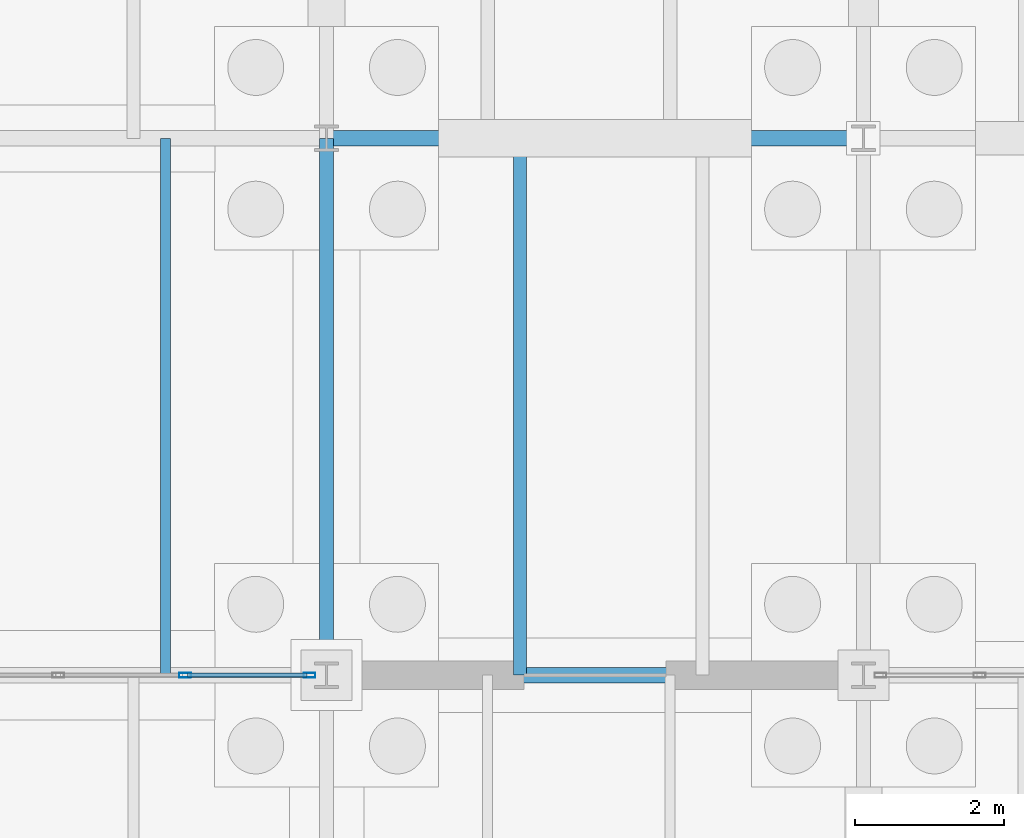
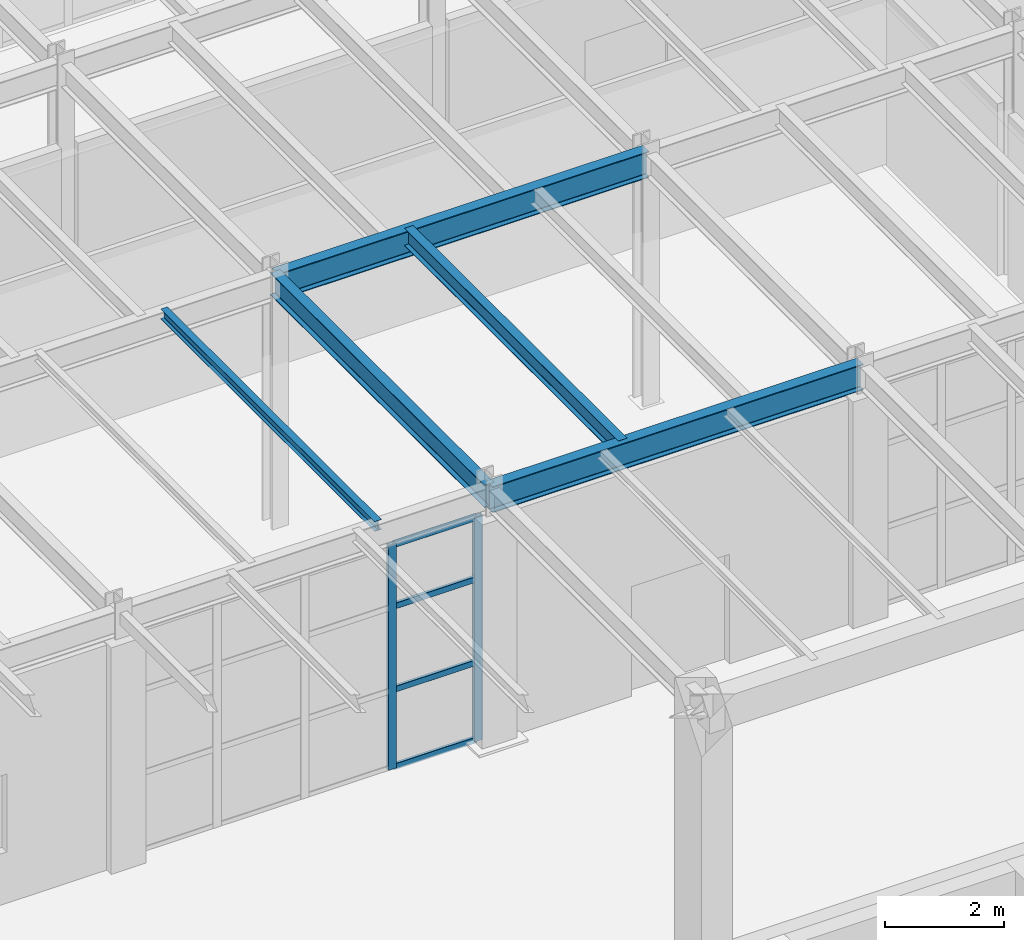
# One storey, part 87 of 293: 6 members, 5 beams, 1 element without a shape of its own.
"""IFC4 building model written with IfcOpenShell, lengths in metres."""

from ifc_helpers import new_model, si_unit, direction, frame, origin, origin_2d, place, context, subcontext, project, spatial, hollow_rectangle, i_section, extrude, material, layer, layer_set, material_profile, profile_set, type_object, element, aggregate, save


model = new_model("IFC4")

# Units and contexts
model_context = context("Model", 3, precision=1e-05, world=origin(), true_north=direction((0.0, 1.0)))
body_context = subcontext(model_context, "Body", "Model", "MODEL_VIEW")
ifc_project = project(units=[si_unit("LENGTHUNIT", "METRE"), si_unit("AREAUNIT", "SQUARE_METRE"), si_unit("VOLUMEUNIT", "CUBIC_METRE"), si_unit("PLANEANGLEUNIT", "RADIAN"), si_unit("MASSUNIT", "GRAM", prefix="KILO")], contexts=[model_context])

# Site, building, storey
site_placement = place(None, origin())
site = spatial("IfcSite", under=ifc_project, at=site_placement, CompositionType="ELEMENT")
building_placement = place(site_placement, origin())
building = spatial("IfcBuilding", under=site, at=building_placement, Name="Kemerveld Promenade Tramway Depot", CompositionType="ELEMENT")
storey_placement = place(building_placement, origin())
storey = spatial("IfcBuildingStorey", under=building, at=storey_placement, Name="L00", CompositionType="ELEMENT", Elevation=0.0)

# Beams
ifc_material_1 = material(Name="Steel S355", Category="steel")
ifc_material_profile_1 = material_profile(ifc_material_1, i_section(OverallWidth=0.2099609375, OverallDepth=0.53662109375, WebThickness=0.0107421875, FlangeThickness=0.017333984375, FilletRadius=0.0126953125, at=origin_2d()), Name="533x210x101 UB")
ifc_profile_set_1 = profile_set([ifc_material_profile_1], Name="Steel S355")
beam_type_1 = type_object("IfcBeamType", Name="BM-G05", PredefinedType="BEAM", material=ifc_profile_set_1)
for number, where, z_axis, x_axis, name in (
    (1, (122.39990234375, 7.199951171875, 4.906494140625), (1.0, 0.0, 0.0), (0.0, 1.0, 0.0), "BMX-L00-18-19-B"),
    (2, (122.39990234375, 14.39990234375, 4.906494140625), (1.0, 0.0, 0.0), (0.0, 1.0, 0.0), "BMX-L00-18-19-C"),
):
    element("IfcBeam", number, at=place(storey_placement, frame(where, z_axis=z_axis, x_axis=x_axis)), inside=storey, type_object=beam_type_1, Name=name, PredefinedType="BEAM", context=body_context, shape_type="SweptSolid", body=[
        extrude(i_section(OverallWidth=0.2099609375, OverallDepth=0.53662109375, WebThickness=0.0107421875, FlangeThickness=0.017333984375, FilletRadius=0.0126953125, at=origin_2d()), origin(), (0.0, 0.0, 1.0), 7.2001953125),
    ])
ifc_material_profile_2 = material_profile(ifc_material_1, i_section(OverallWidth=0.19140625, OverallDepth=0.4599609375, WebThickness=0.010009765625, FlangeThickness=0.01611328125, FilletRadius=0.01025390625, at=origin_2d()), Name="457x191x82 UB")
ifc_profile_set_2 = profile_set([ifc_material_profile_2], Name="Steel S355")
beam_type_2 = type_object("IfcBeamType", Name="BM-G06", PredefinedType="BEAM", material=ifc_profile_set_2)
beam_1_placement = place(storey_placement, frame((122.39990234375, 7.199951171875, 4.945068359375), z_axis=(0.0, 1.0, 0.0), x_axis=(-1.0, 0.0, 0.0)))
element("IfcBeam", 3, at=beam_1_placement, inside=storey, type_object=beam_type_2, Name="BMY-L00-18-B-C", PredefinedType="BEAM", context=body_context, shape_type="SweptSolid", body=[
    extrude(i_section(OverallWidth=0.19140625, OverallDepth=0.4599609375, WebThickness=0.010009765625, FlangeThickness=0.01611328125, FilletRadius=0.01025390625, at=origin_2d()), origin(), (0.0, 0.0, 1.0), 7.199951171875),
])
ifc_material_profile_3 = material_profile(ifc_material_1, i_section(OverallWidth=0.13330078125, OverallDepth=0.203125, WebThickness=0.005615234375, FlangeThickness=0.0078125, FilletRadius=0.007568359375, at=origin_2d()), Name="203x133x25 UB")
ifc_profile_set_3 = profile_set([ifc_material_profile_3], Name="Steel S355")
beam_type_3 = type_object("IfcBeamType", Name="BM-J03", PredefinedType="JOIST", material=ifc_profile_set_3)
beam_2_placement = place(storey_placement, frame((120.239990234375, 7.199951171875, 5.073486328125), z_axis=(0.0, 1.0, 0.0), x_axis=(-1.0, 0.0, 0.0)))
element("IfcBeam", 4, at=beam_2_placement, inside=storey, type_object=beam_type_3, Name="JST-L00-17-B-2", PredefinedType="JOIST", context=body_context, shape_type="SweptSolid", body=[
    extrude(i_section(OverallWidth=0.13330078125, OverallDepth=0.203125, WebThickness=0.005615234375, FlangeThickness=0.0078125, FilletRadius=0.007568359375, at=origin_2d()), origin(), (0.0, 0.0, 1.0), 7.199951171875),
])
ifc_material_profile_4 = material_profile(ifc_material_1, i_section(OverallWidth=0.172119140625, OverallDepth=0.35791015625, WebThickness=0.008056640625, FlangeThickness=0.012939453125, FilletRadius=0.01025390625, at=origin_2d()), Name="356x171x57 UB")
ifc_profile_set_4 = profile_set([ifc_material_profile_4], Name="Steel S355")
beam_type_4 = type_object("IfcBeamType", Name="BM-J04", PredefinedType="JOIST", material=ifc_profile_set_4)
beam_3_placement = place(storey_placement, frame((124.991943359375, 7.199951171875, 4.99609375), z_axis=(0.0, 1.0, 0.0), x_axis=(-1.0, 0.0, 0.0)))
element("IfcBeam", 5, at=beam_3_placement, inside=storey, type_object=beam_type_4, Name="JST-L00-18-B-1", PredefinedType="JOIST", context=body_context, shape_type="SweptSolid", body=[
    extrude(i_section(OverallWidth=0.172119140625, OverallDepth=0.35791015625, WebThickness=0.008056640625, FlangeThickness=0.012939453125, FilletRadius=0.01025390625, at=origin_2d()), origin(), (0.0, 0.0, 1.0), 7.199951171875),
])

# Curtain wall, members
ifc_material_2 = material(Name="Bronze anodised aluminium and solar glass", Category="aluminium")
ifc_layer = layer(ifc_material_2, 0.159912109375)
ifc_layer_set = layer_set([ifc_layer], Name="CW-SYS-09")
curtain_wall_type = type_object("IfcCurtainWallType", Name="CW-SYS-09", PredefinedType="USERDEFINED", material=ifc_layer_set)
curtain_wall_placement = place(storey_placement, origin())
curtain_wall = element("IfcCurtainWall", 6, at=curtain_wall_placement, inside=storey, type_object=curtain_wall_type, Name="CW-L00-V4S-06", ObjectType="GLAZED_CURTAIN_WALL", PredefinedType="USERDEFINED")
ifc_material_3 = material(Name="Bronze anodised aluminium", Category="aluminium")
ifc_material_profile_5 = material_profile(ifc_material_3, hollow_rectangle(XDim=0.06494140625, YDim=0.159912109375, WallThickness=0.00390625, InnerFilletRadius=0.001953125, OuterFilletRadius=0.00390625, at=origin_2d()), Name="CW-MUL-160x65")
ifc_profile_set_5 = profile_set([ifc_material_profile_5], Name="Bronze anodised aluminium")
member_type_1 = type_object("IfcMemberType", Name="CW-MUL-A", PredefinedType="MULLION", material=ifc_profile_set_5)
member_1_placement = place(storey_placement, frame((122.171142578125, 7.199951171875, 0.0), z_axis=(0.0, 0.0, 1.0), x_axis=(0.0, -1.0, 0.0)))
member_1 = element("IfcMember", 7, at=member_1_placement, type_object=member_type_1, Name="CW09 mullion 1", PredefinedType="MULLION", context=body_context, shape_type="SweptSolid", body=[
    extrude(hollow_rectangle(XDim=0.06494140625, YDim=0.159912109375, WallThickness=0.00390625, InnerFilletRadius=0.001953125, OuterFilletRadius=0.00390625, at=origin_2d()), origin(), (0.0, 0.0, 1.0), 4.618408203125),
])
member_2_placement = place(storey_placement, frame((120.501953125, 7.199951171875, 0.0), z_axis=(0.0, 0.0, 1.0), x_axis=(0.0, -1.0, 0.0)))
member_2 = element("IfcMember", 8, at=member_2_placement, type_object=member_type_1, Name="CW09 mullion 2", PredefinedType="MULLION", context=body_context, shape_type="SweptSolid", body=[
    extrude(hollow_rectangle(XDim=0.06494140625, YDim=0.159912109375, WallThickness=0.00390625, InnerFilletRadius=0.001953125, OuterFilletRadius=0.00390625, at=origin_2d()), origin(), (0.0, 0.0, 1.0), 4.618408203125),
])
ifc_material_profile_6 = material_profile(ifc_material_3, hollow_rectangle(XDim=0.06005859375, YDim=0.1201171875, WallThickness=0.00390625, InnerFilletRadius=0.001953125, OuterFilletRadius=0.00390625, at=origin_2d()), Name="CW-TRN-120x60")
ifc_profile_set_6 = profile_set([ifc_material_profile_6], Name="Bronze anodised aluminium")
member_type_2 = type_object("IfcMemberType", Name="CW-TRN-A", PredefinedType="USERDEFINED", material=ifc_profile_set_6)
member_3_placement = place(storey_placement, frame((122.138671875, 7.199951171875, 0.030029296875), z_axis=(-1.0, 0.0, 0.0), x_axis=(0.0, -1.0, 0.0)))
member_3 = element("IfcMember", 9, at=member_3_placement, type_object=member_type_2, Name="CW09 transom 1.1", ObjectType="TRANSOM", PredefinedType="USERDEFINED", context=body_context, shape_type="SweptSolid", body=[
    extrude(hollow_rectangle(XDim=0.06005859375, YDim=0.1201171875, WallThickness=0.00390625, InnerFilletRadius=0.001953125, OuterFilletRadius=0.00390625, at=origin_2d()), origin(), (0.0, 0.0, 1.0), 1.604248046875),
])
member_4_placement = place(storey_placement, frame((122.138671875, 7.199951171875, 1.615966796875), z_axis=(-1.0, 0.0, 0.0), x_axis=(0.0, -1.0, 0.0)))
member_4 = element("IfcMember", 10, at=member_4_placement, type_object=member_type_2, Name="CW09 transom 1.2", ObjectType="TRANSOM", PredefinedType="USERDEFINED", context=body_context, shape_type="SweptSolid", body=[
    extrude(hollow_rectangle(XDim=0.06005859375, YDim=0.1201171875, WallThickness=0.00390625, InnerFilletRadius=0.001953125, OuterFilletRadius=0.00390625, at=origin_2d()), origin(), (0.0, 0.0, 1.0), 1.604248046875),
])
member_5_placement = place(storey_placement, frame((122.138671875, 7.199951171875, 3.324951171875), z_axis=(-1.0, 0.0, 0.0), x_axis=(0.0, -1.0, 0.0)))
member_5 = element("IfcMember", 11, at=member_5_placement, type_object=member_type_2, Name="CW09 transom 1.3", ObjectType="TRANSOM", PredefinedType="USERDEFINED", context=body_context, shape_type="SweptSolid", body=[
    extrude(hollow_rectangle(XDim=0.06005859375, YDim=0.1201171875, WallThickness=0.00390625, InnerFilletRadius=0.001953125, OuterFilletRadius=0.00390625, at=origin_2d()), origin(), (0.0, 0.0, 1.0), 1.604248046875),
])
member_6_placement = place(storey_placement, frame((122.138671875, 7.199951171875, 4.58837890625), z_axis=(-1.0, 0.0, 0.0), x_axis=(0.0, -1.0, 0.0)))
member_6 = element("IfcMember", 12, at=member_6_placement, type_object=member_type_2, Name="CW09 transom 1.4", ObjectType="TRANSOM", PredefinedType="USERDEFINED", context=body_context, shape_type="SweptSolid", body=[
    extrude(hollow_rectangle(XDim=0.06005859375, YDim=0.1201171875, WallThickness=0.00390625, InnerFilletRadius=0.001953125, OuterFilletRadius=0.00390625, at=origin_2d()), origin(), (0.0, 0.0, 1.0), 1.604248046875),
])
aggregate(curtain_wall, [member_1, member_2, member_3, member_4, member_5, member_6])

save(model, "model.ifc")
